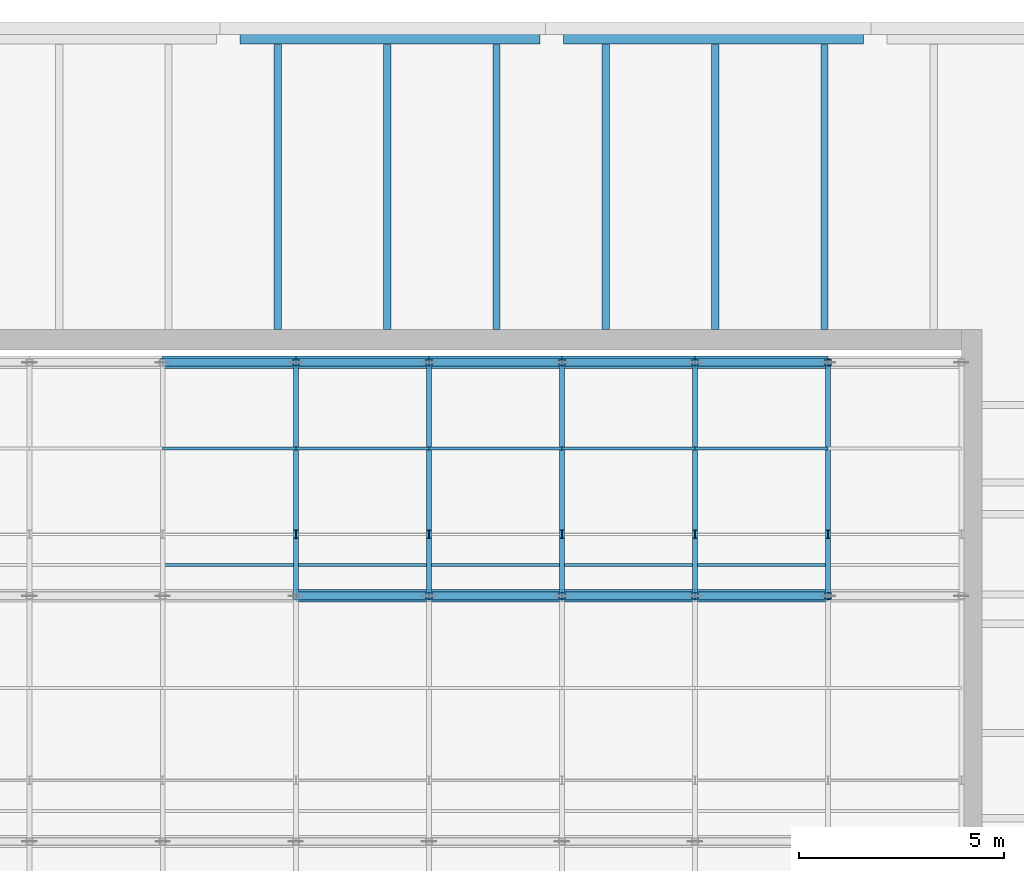
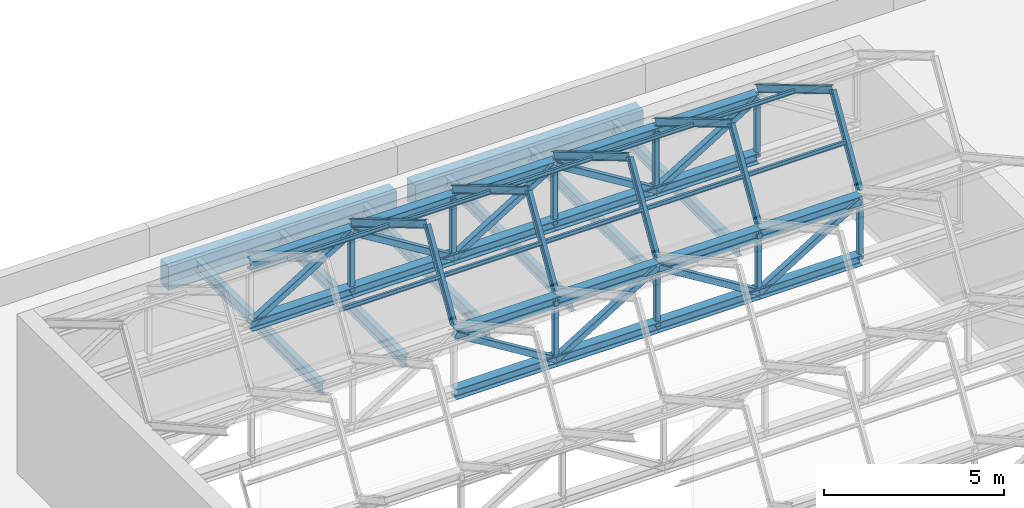
# One storey, part 54 of 132: 56 members, 8 beams.
"""IFC4 building model written with IfcOpenShell, lengths in metres."""

from ifc_helpers import new_model, si_unit, direction, frame, origin, origin_2d, place, context, subcontext, project, spatial, rectangle, hollow_rectangle, i_section, extrude, material, material_profile, profile_set, type_object, element, save


model = new_model("IFC4")

# Units and contexts
model_context = context("Model", 3, precision=1e-05, world=origin(), true_north=direction((0.0, 1.0)))
body_context = subcontext(model_context, "Body", "Model", "MODEL_VIEW")
ifc_project = project(units=[si_unit("LENGTHUNIT", "METRE"), si_unit("AREAUNIT", "SQUARE_METRE"), si_unit("VOLUMEUNIT", "CUBIC_METRE"), si_unit("PLANEANGLEUNIT", "RADIAN"), si_unit("MASSUNIT", "GRAM", prefix="KILO")], contexts=[model_context])

# Site, building, storey
site_placement = place(None, origin())
site = spatial("IfcSite", under=ifc_project, at=site_placement, CompositionType="ELEMENT")
building_placement = place(site_placement, origin())
building = spatial("IfcBuilding", under=site, at=building_placement, Name="Lunette Opera House", CompositionType="ELEMENT")
storey_placement = place(building_placement, frame((0.0, 0.0, 17.0)))
storey = spatial("IfcBuildingStorey", under=building, at=storey_placement, Name="L03", CompositionType="ELEMENT", Elevation=17.0)

# Members
ifc_material_1 = material(Name="Steel S355", Category="steel")
ifc_material_profile_1 = material_profile(ifc_material_1, i_section(OverallWidth=0.300048828125, OverallDepth=0.35009765625, WebThickness=0.010009765625, FlangeThickness=0.017578125, FilletRadius=0.027099609375, at=origin_2d()), Name="HEA 360")
ifc_profile_set_1 = profile_set([ifc_material_profile_1], Name="Steel S355")
member_type_1 = type_object("IfcMemberType", Name="CHORD HEA 360", PredefinedType="CHORD", material=ifc_profile_set_1)
for number, where, z_axis, x_axis, name in (
    (1, (153.75, 122.0, 5.205078125), (1.0, 0.0, 0.0), (0.0, 1.0, 0.0), "mem-WW-L03-WW-TR04-TC4"),
    (2, (153.75, 122.0, 3.205078125), (1.0, 0.0, 0.0), (0.0, 1.0, 0.0), "mem-WW-L03-WW-TR04-BC4"),
    (3, (157.0, 122.0, 5.205078125), (1.0, 0.0, 0.0), (0.0, 1.0, 0.0), "mem-WW-L03-WW-TR04-TC5"),
    (4, (157.0, 122.0, 3.205078125), (1.0, 0.0, 0.0), (0.0, 1.0, 0.0), "mem-WW-L03-WW-TR04-BC5"),
    (5, (160.25, 122.0, 5.205078125), (1.0, 0.0, 0.0), (0.0, 1.0, 0.0), "mem-WW-L03-WW-TR04-TC6"),
    (6, (160.25, 122.0, 3.205078125), (1.0, 0.0, 0.0), (0.0, 1.0, 0.0), "mem-WW-L03-WW-TR04-BC6"),
    (7, (163.5, 122.0, 5.205078125), (1.0, 0.0, 0.0), (0.0, 1.0, 0.0), "mem-WW-L03-WW-TR04-TC7"),
    (8, (163.5, 122.0, 3.205078125), (1.0, 0.0, 0.0), (0.0, 1.0, 0.0), "mem-WW-L03-WW-TR04-BC7"),
    (9, (150.5, 127.699951171875, 5.205078125), (1.0, 0.0, 0.0), (0.0, 1.0, 0.0), "mem-WW-L03-WW-TR05-TC3"),
    (10, (150.5, 127.699951171875, 3.205078125), (1.0, 0.0, 0.0), (0.0, 1.0, 0.0), "mem-WW-L03-WW-TR05-BC3"),
    (11, (153.75, 127.699951171875, 5.205078125), (1.0, 0.0, 0.0), (0.0, 1.0, 0.0), "mem-WW-L03-WW-TR05-TC4"),
    (12, (153.75, 127.699951171875, 3.205078125), (1.0, 0.0, 0.0), (0.0, 1.0, 0.0), "mem-WW-L03-WW-TR05-BC4"),
    (13, (157.0, 127.699951171875, 5.205078125), (1.0, 0.0, 0.0), (0.0, 1.0, 0.0), "mem-WW-L03-WW-TR05-TC5"),
    (14, (157.0, 127.699951171875, 3.205078125), (1.0, 0.0, 0.0), (0.0, 1.0, 0.0), "mem-WW-L03-WW-TR05-BC5"),
    (15, (160.25, 127.699951171875, 5.205078125), (1.0, 0.0, 0.0), (0.0, 1.0, 0.0), "mem-WW-L03-WW-TR05-TC6"),
    (16, (160.25, 127.699951171875, 3.205078125), (1.0, 0.0, 0.0), (0.0, 1.0, 0.0), "mem-WW-L03-WW-TR05-BC6"),
    (17, (163.5, 127.699951171875, 5.205078125), (1.0, 0.0, 0.0), (0.0, 1.0, 0.0), "mem-WW-L03-WW-TR05-TC7"),
    (18, (163.5, 127.699951171875, 3.205078125), (1.0, 0.0, 0.0), (0.0, 1.0, 0.0), "mem-WW-L03-WW-TR05-BC7"),
):
    element("IfcMember", number, at=place(storey_placement, frame(where, z_axis=z_axis, x_axis=x_axis)), inside=storey, type_object=member_type_1, Name=name, PredefinedType="CHORD", context=body_context, shape_type="SweptSolid", body=[
        extrude(i_section(OverallWidth=0.300048828125, OverallDepth=0.35009765625, WebThickness=0.010009765625, FlangeThickness=0.017578125, FilletRadius=0.027099609375, at=origin_2d()), origin(), (0.0, 0.0, 1.0), 3.25),
    ])
ifc_material_2 = material(Name="Steel S355", Category="steel")
ifc_material_profile_2 = material_profile(ifc_material_2, hollow_rectangle(XDim=0.199951171875, YDim=0.199951171875, WallThickness=0.008056640625, InnerFilletRadius=0.008056640625, OuterFilletRadius=0.01611328125, at=origin_2d()), Name="RHS 200X200X8")
ifc_profile_set_2 = profile_set([ifc_material_profile_2], Name="Steel S355")
member_type_2 = type_object("IfcMemberType", Name="DIAGONAL RHS 200X200X8", PredefinedType="BRACE", material=ifc_profile_set_2)
for number, where, z_axis, x_axis, name in (
    (19, (153.75, 122.0, 5.205078125), (0.851658316705, 0.0, -0.524097425664), (0.0, 1.0, 0.0), "mem-WW-L03-WW-TR04-TD4"),
    (20, (157.0, 122.0, 3.205078125), (0.851658316705, 0.0, 0.524097425664), (0.0, 1.0, 0.0), "mem-WW-L03-WW-TR04-TD5"),
    (21, (160.25, 122.0, 5.205078125), (0.851658316705, 0.0, -0.524097425664), (0.0, 1.0, 0.0), "mem-WW-L03-WW-TR04-TD6"),
    (22, (163.5, 122.0, 3.205078125), (0.851658316705, 0.0, 0.524097425664), (0.0, 1.0, 0.0), "mem-WW-L03-WW-TR04-TD7"),
    (23, (150.5, 127.699951171875, 3.205078125), (0.851658316705, 0.0, 0.524097425664), (0.0, 1.0, 0.0), "mem-WW-L03-WW-TR05-TD3"),
    (24, (153.75, 127.699951171875, 5.205078125), (0.851658316705, 0.0, -0.524097425664), (0.0, 1.0, 0.0), "mem-WW-L03-WW-TR05-TD4"),
    (25, (157.0, 127.699951171875, 3.205078125), (0.851658316705, 0.0, 0.524097425664), (0.0, 1.0, 0.0), "mem-WW-L03-WW-TR05-TD5"),
    (26, (160.25, 127.699951171875, 5.205078125), (0.851658316705, 0.0, -0.524097425664), (0.0, 1.0, 0.0), "mem-WW-L03-WW-TR05-TD6"),
    (27, (163.5, 127.699951171875, 3.205078125), (0.851658316705, 0.0, 0.524097425664), (0.0, 1.0, 0.0), "mem-WW-L03-WW-TR05-TD7"),
):
    element("IfcMember", number, at=place(storey_placement, frame(where, z_axis=z_axis, x_axis=x_axis)), inside=storey, type_object=member_type_2, Name=name, PredefinedType="BRACE", context=body_context, shape_type="SweptSolid", body=[
        extrude(hollow_rectangle(XDim=0.199951171875, YDim=0.199951171875, WallThickness=0.008056640625, InnerFilletRadius=0.008056640625, OuterFilletRadius=0.01611328125, at=origin_2d()), origin(), (0.0, 0.0, 1.0), 3.816162109375),
    ])
ifc_material_3 = material(Name="Steel S355", Category="steel")
ifc_material_profile_3 = material_profile(ifc_material_3, i_section(OverallWidth=0.072998046875, OverallDepth=0.139892578125, WebThickness=0.004638671875, FlangeThickness=0.0068359375, FilletRadius=0.007080078125, at=origin_2d()), Name="IPE 140")
ifc_profile_set_3 = profile_set([ifc_material_profile_3], Name="Steel S355")
member_type_3 = type_object("IfcMemberType", Name="PURLIN IPE 140", PredefinedType="PURLIN", material=ifc_profile_set_3)
for number, where, z_axis, x_axis, name in (
    (28, (150.5, 122.75, 6.679931640625), (1.0, 0.0, 0.0), (0.0, 1.0, 0.0), "mem-WW-L03-WW-PN4-3A"),
    (29, (150.5, 125.60009765625, 6.679931640625), (1.0, 0.0, 0.0), (0.0, 1.0, 0.0), "mem-WW-L03-WW-PN4-3B"),
    (30, (153.75, 122.75, 6.679931640625), (1.0, 0.0, 0.0), (0.0, 1.0, 0.0), "mem-WW-L03-WW-PN4-4A"),
    (31, (153.75, 125.60009765625, 6.679931640625), (1.0, 0.0, 0.0), (0.0, 1.0, 0.0), "mem-WW-L03-WW-PN4-4B"),
    (32, (157.0, 122.75, 6.679931640625), (1.0, 0.0, 0.0), (0.0, 1.0, 0.0), "mem-WW-L03-WW-PN4-5A"),
    (33, (157.0, 125.60009765625, 6.679931640625), (1.0, 0.0, 0.0), (0.0, 1.0, 0.0), "mem-WW-L03-WW-PN4-5B"),
    (34, (160.25, 122.75, 6.679931640625), (1.0, 0.0, 0.0), (0.0, 1.0, 0.0), "mem-WW-L03-WW-PN4-6A"),
    (35, (160.25, 125.60009765625, 6.679931640625), (1.0, 0.0, 0.0), (0.0, 1.0, 0.0), "mem-WW-L03-WW-PN4-6B"),
    (36, (163.5, 122.75, 6.679931640625), (1.0, 0.0, 0.0), (0.0, 1.0, 0.0), "mem-WW-L03-WW-PN4-7A"),
    (37, (163.5, 125.60009765625, 6.679931640625), (1.0, 0.0, 0.0), (0.0, 1.0, 0.0), "mem-WW-L03-WW-PN4-7B"),
):
    element("IfcMember", number, at=place(storey_placement, frame(where, z_axis=z_axis, x_axis=x_axis)), inside=storey, type_object=member_type_3, Name=name, PredefinedType="PURLIN", context=body_context, shape_type="SweptSolid", body=[
        extrude(i_section(OverallWidth=0.072998046875, OverallDepth=0.139892578125, WebThickness=0.004638671875, FlangeThickness=0.0068359375, FilletRadius=0.007080078125, at=origin_2d()), origin(), (0.0, 0.0, 1.0), 3.25),
    ])
ifc_material_4 = material(Name="Steel S355", Category="steel")
ifc_material_profile_4 = material_profile(ifc_material_4, i_section(OverallWidth=0.1201171875, OverallDepth=0.239990234375, WebThickness=0.006103515625, FlangeThickness=0.009765625, FilletRadius=0.014892578125, at=origin_2d()), Name="IPE 240")
ifc_profile_set_4 = profile_set([ifc_material_profile_4], Name="Steel S355")
member_type_4 = type_object("IfcMemberType", Name="RAFTER IPE 240", PredefinedType="RAFTER", material=ifc_profile_set_4)
member_1_placement = place(storey_placement, frame((153.75, 122.0, 5.5), z_axis=(0.0, 0.514495755428, 0.857492925713), x_axis=(-1.0, 0.0, 0.0)))
element("IfcMember", 38, at=member_1_placement, inside=storey, type_object=member_type_4, Name="mem-WW-L03-WW-RF4-4A", PredefinedType="RAFTER", context=body_context, shape_type="SweptSolid", body=[
    extrude(i_section(OverallWidth=0.1201171875, OverallDepth=0.239990234375, WebThickness=0.006103515625, FlangeThickness=0.009765625, FilletRadius=0.014892578125, at=origin_2d()), origin(), (0.0, 0.0, 1.0), 2.91552734375),
])
member_2_placement = place(storey_placement, frame((153.75, 123.5, 8.0), z_axis=(0.0, 0.859290270856, -0.511488250512), x_axis=(-1.0, 0.0, 0.0)))
element("IfcMember", 39, at=member_2_placement, inside=storey, type_object=member_type_4, Name="mem-WW-L03-WW-RF4-4B", PredefinedType="RAFTER", context=body_context, shape_type="SweptSolid", body=[
    extrude(i_section(OverallWidth=0.1201171875, OverallDepth=0.239990234375, WebThickness=0.006103515625, FlangeThickness=0.009765625, FilletRadius=0.014892578125, at=origin_2d()), origin(), (0.0, 0.0, 1.0), 4.8876953125),
])
member_3_placement = place(storey_placement, frame((157.0, 122.0, 5.5), z_axis=(0.0, 0.514495755428, 0.857492925713), x_axis=(-1.0, 0.0, 0.0)))
element("IfcMember", 40, at=member_3_placement, inside=storey, type_object=member_type_4, Name="mem-WW-L03-WW-RF4-5A", PredefinedType="RAFTER", context=body_context, shape_type="SweptSolid", body=[
    extrude(i_section(OverallWidth=0.1201171875, OverallDepth=0.239990234375, WebThickness=0.006103515625, FlangeThickness=0.009765625, FilletRadius=0.014892578125, at=origin_2d()), origin(), (0.0, 0.0, 1.0), 2.91552734375),
])
member_4_placement = place(storey_placement, frame((157.0, 123.5, 8.0), z_axis=(0.0, 0.859290270856, -0.511488250512), x_axis=(-1.0, 0.0, 0.0)))
element("IfcMember", 41, at=member_4_placement, inside=storey, type_object=member_type_4, Name="mem-WW-L03-WW-RF4-5B", PredefinedType="RAFTER", context=body_context, shape_type="SweptSolid", body=[
    extrude(i_section(OverallWidth=0.1201171875, OverallDepth=0.239990234375, WebThickness=0.006103515625, FlangeThickness=0.009765625, FilletRadius=0.014892578125, at=origin_2d()), origin(), (0.0, 0.0, 1.0), 4.8876953125),
])
member_5_placement = place(storey_placement, frame((160.25, 122.0, 5.5), z_axis=(0.0, 0.514495755428, 0.857492925713), x_axis=(-1.0, 0.0, 0.0)))
element("IfcMember", 42, at=member_5_placement, inside=storey, type_object=member_type_4, Name="mem-WW-L03-WW-RF4-6A", PredefinedType="RAFTER", context=body_context, shape_type="SweptSolid", body=[
    extrude(i_section(OverallWidth=0.1201171875, OverallDepth=0.239990234375, WebThickness=0.006103515625, FlangeThickness=0.009765625, FilletRadius=0.014892578125, at=origin_2d()), origin(), (0.0, 0.0, 1.0), 2.91552734375),
])
member_6_placement = place(storey_placement, frame((160.25, 123.5, 8.0), z_axis=(0.0, 0.859290270856, -0.511488250512), x_axis=(-1.0, 0.0, 0.0)))
element("IfcMember", 43, at=member_6_placement, inside=storey, type_object=member_type_4, Name="mem-WW-L03-WW-RF4-6B", PredefinedType="RAFTER", context=body_context, shape_type="SweptSolid", body=[
    extrude(i_section(OverallWidth=0.1201171875, OverallDepth=0.239990234375, WebThickness=0.006103515625, FlangeThickness=0.009765625, FilletRadius=0.014892578125, at=origin_2d()), origin(), (0.0, 0.0, 1.0), 4.8876953125),
])
member_7_placement = place(storey_placement, frame((163.5, 122.0, 5.5), z_axis=(0.0, 0.514495755428, 0.857492925713), x_axis=(-1.0, 0.0, 0.0)))
element("IfcMember", 44, at=member_7_placement, inside=storey, type_object=member_type_4, Name="mem-WW-L03-WW-RF4-7A", PredefinedType="RAFTER", context=body_context, shape_type="SweptSolid", body=[
    extrude(i_section(OverallWidth=0.1201171875, OverallDepth=0.239990234375, WebThickness=0.006103515625, FlangeThickness=0.009765625, FilletRadius=0.014892578125, at=origin_2d()), origin(), (0.0, 0.0, 1.0), 2.91552734375),
])
member_8_placement = place(storey_placement, frame((163.5, 123.5, 8.0), z_axis=(0.0, 0.859290270856, -0.511488250512), x_axis=(-1.0, 0.0, 0.0)))
element("IfcMember", 45, at=member_8_placement, inside=storey, type_object=member_type_4, Name="mem-WW-L03-WW-RF4-7B", PredefinedType="RAFTER", context=body_context, shape_type="SweptSolid", body=[
    extrude(i_section(OverallWidth=0.1201171875, OverallDepth=0.239990234375, WebThickness=0.006103515625, FlangeThickness=0.009765625, FilletRadius=0.014892578125, at=origin_2d()), origin(), (0.0, 0.0, 1.0), 4.8876953125),
])
member_9_placement = place(storey_placement, frame((166.75, 122.0, 5.5), z_axis=(0.0, 0.514495755428, 0.857492925713), x_axis=(-1.0, 0.0, 0.0)))
element("IfcMember", 46, at=member_9_placement, inside=storey, type_object=member_type_4, Name="mem-WW-L03-WW-RF4-8A", PredefinedType="RAFTER", context=body_context, shape_type="SweptSolid", body=[
    extrude(i_section(OverallWidth=0.1201171875, OverallDepth=0.239990234375, WebThickness=0.006103515625, FlangeThickness=0.009765625, FilletRadius=0.014892578125, at=origin_2d()), origin(), (0.0, 0.0, 1.0), 2.91552734375),
])
member_10_placement = place(storey_placement, frame((166.75, 123.5, 8.0), z_axis=(0.0, 0.859290270856, -0.511488250512), x_axis=(-1.0, 0.0, 0.0)))
element("IfcMember", 47, at=member_10_placement, inside=storey, type_object=member_type_4, Name="mem-WW-L03-WW-RF4-8B", PredefinedType="RAFTER", context=body_context, shape_type="SweptSolid", body=[
    extrude(i_section(OverallWidth=0.1201171875, OverallDepth=0.239990234375, WebThickness=0.006103515625, FlangeThickness=0.009765625, FilletRadius=0.014892578125, at=origin_2d()), origin(), (0.0, 0.0, 1.0), 4.8876953125),
])

# Beams
ifc_material_5 = material(Name="Concrete C35/45", Category="concrete")
ifc_material_profile_5 = material_profile(ifc_material_5, rectangle(XDim=0.449951171875, YDim=0.800048828125, at=origin_2d()), Name="RC BEAM 450X800")
ifc_profile_set_5 = profile_set([ifc_material_profile_5], Name="Concrete C35/45")
beam_type_1 = type_object("IfcBeamType", Name="RC BEAM 450X800", PredefinedType="BEAM", material=ifc_profile_set_5)
for number, where, z_axis, x_axis, name in (
    (48, (152.389892578125, 135.699951171875, -0.64990234375), (1.0, 0.0, 0.0), (0.0, 1.0, 0.0), "beam-WW-L03-L03-GX27"),
    (49, (160.2900390625, 135.699951171875, -0.64990234375), (1.0, 0.0, 0.0), (0.0, 1.0, 0.0), "beam-WW-L03-L03-GX37"),
):
    element("IfcBeam", number, at=place(storey_placement, frame(where, z_axis=z_axis, x_axis=x_axis)), inside=storey, type_object=beam_type_1, Name=name, PredefinedType="BEAM", context=body_context, shape_type="SweptSolid", body=[
        extrude(rectangle(XDim=0.449951171875, YDim=0.800048828125, at=origin_2d()), origin(), (0.0, 0.0, 1.0), 7.320068359375),
    ])
ifc_material_6 = material(Name="Steel S355", Category="steel")
ifc_material_profile_6 = material_profile(ifc_material_6, i_section(OverallWidth=0.179931640625, OverallDepth=0.39990234375, WebThickness=0.008544921875, FlangeThickness=0.013427734375, FilletRadius=0.02099609375, at=origin_2d()), Name="IPE 400")
ifc_profile_set_6 = profile_set([ifc_material_profile_6], Name="Steel S355")
beam_type_2 = type_object("IfcBeamType", Name="STEEL BEAM IPE 400", PredefinedType="BEAM", material=ifc_profile_set_6)
for number, where, z_axis, x_axis, name in (
    (50, (153.31005859375, 128.5, -0.449951171875), (0.0, 1.0, 0.0), (-1.0, 0.0, 0.0), "beam-WW-L03-L03-RJN1441043"),
    (51, (155.97998046875, 128.5, -0.449951171875), (0.0, 1.0, 0.0), (-1.0, 0.0, 0.0), "beam-WW-L03-L03-RJN1441044"),
    (52, (158.64990234375, 128.5, -0.449951171875), (0.0, 1.0, 0.0), (-1.0, 0.0, 0.0), "beam-WW-L03-L03-RJN1441045"),
    (53, (161.320068359375, 128.5, -0.449951171875), (0.0, 1.0, 0.0), (-1.0, 0.0, 0.0), "beam-WW-L03-L03-RJN1441046"),
    (54, (163.989990234375, 128.5, -0.449951171875), (0.0, 1.0, 0.0), (-1.0, 0.0, 0.0), "beam-WW-L03-L03-RJN1441047"),
    (55, (166.659912109375, 128.5, -0.449951171875), (0.0, 1.0, 0.0), (-1.0, 0.0, 0.0), "beam-WW-L03-L03-RJN1441048"),
):
    element("IfcBeam", number, at=place(storey_placement, frame(where, z_axis=z_axis, x_axis=x_axis)), inside=storey, type_object=beam_type_2, Name=name, PredefinedType="BEAM", context=body_context, shape_type="SweptSolid", body=[
        extrude(i_section(OverallWidth=0.179931640625, OverallDepth=0.39990234375, WebThickness=0.008544921875, FlangeThickness=0.013427734375, FilletRadius=0.02099609375, at=origin_2d()), origin(), (0.0, 0.0, 1.0), 6.965087890625),
    ])

# Members
ifc_material_7 = material(Name="Steel S355", Category="steel")
ifc_material_profile_7 = material_profile(ifc_material_7, hollow_rectangle(XDim=0.159912109375, YDim=0.159912109375, WallThickness=0.008056640625, InnerFilletRadius=0.008056640625, OuterFilletRadius=0.01611328125, at=origin_2d()), Name="RHS 160X160X8")
ifc_profile_set_7 = profile_set([ifc_material_profile_7], Name="Steel S355")
member_type_5 = type_object("IfcMemberType", Name="VERTICAL RHS 160X160X8", PredefinedType="POST", material=ifc_profile_set_7)
for number, where, z_axis, x_axis, name in (
    (56, (157.0, 122.0, 3.205078125), (0.0, 0.0, 1.0), (1.0, 0.0, 0.0), "mem-WW-L03-WW-TR04-TV5"),
    (57, (160.25, 122.0, 3.205078125), (0.0, 0.0, 1.0), (1.0, 0.0, 0.0), "mem-WW-L03-WW-TR04-TV6"),
    (58, (163.5, 122.0, 3.205078125), (0.0, 0.0, 1.0), (1.0, 0.0, 0.0), "mem-WW-L03-WW-TR04-TV7"),
    (59, (166.75, 122.0, 3.205078125), (0.0, 0.0, 1.0), (1.0, 0.0, 0.0), "mem-WW-L03-WW-TR04-TV8"),
    (60, (153.75, 127.699951171875, 3.205078125), (0.0, 0.0, 1.0), (1.0, 0.0, 0.0), "mem-WW-L03-WW-TR05-TV4"),
    (61, (157.0, 127.699951171875, 3.205078125), (0.0, 0.0, 1.0), (1.0, 0.0, 0.0), "mem-WW-L03-WW-TR05-TV5"),
    (62, (160.25, 127.699951171875, 3.205078125), (0.0, 0.0, 1.0), (1.0, 0.0, 0.0), "mem-WW-L03-WW-TR05-TV6"),
    (63, (163.5, 127.699951171875, 3.205078125), (0.0, 0.0, 1.0), (1.0, 0.0, 0.0), "mem-WW-L03-WW-TR05-TV7"),
    (64, (166.75, 127.699951171875, 3.205078125), (0.0, 0.0, 1.0), (1.0, 0.0, 0.0), "mem-WW-L03-WW-TR05-TV8"),
):
    element("IfcMember", number, at=place(storey_placement, frame(where, z_axis=z_axis, x_axis=x_axis)), inside=storey, type_object=member_type_5, Name=name, PredefinedType="POST", context=body_context, shape_type="SweptSolid", body=[
        extrude(hollow_rectangle(XDim=0.159912109375, YDim=0.159912109375, WallThickness=0.008056640625, InnerFilletRadius=0.008056640625, OuterFilletRadius=0.01611328125, at=origin_2d()), origin(), (0.0, 0.0, 1.0), 2.0),
    ])

save(model, "model.ifc")
